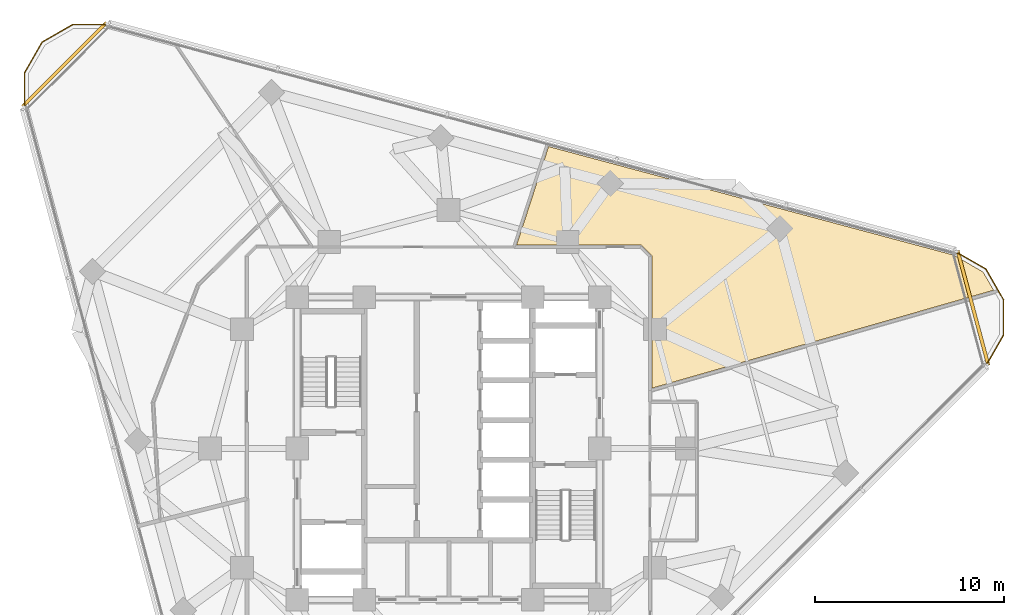
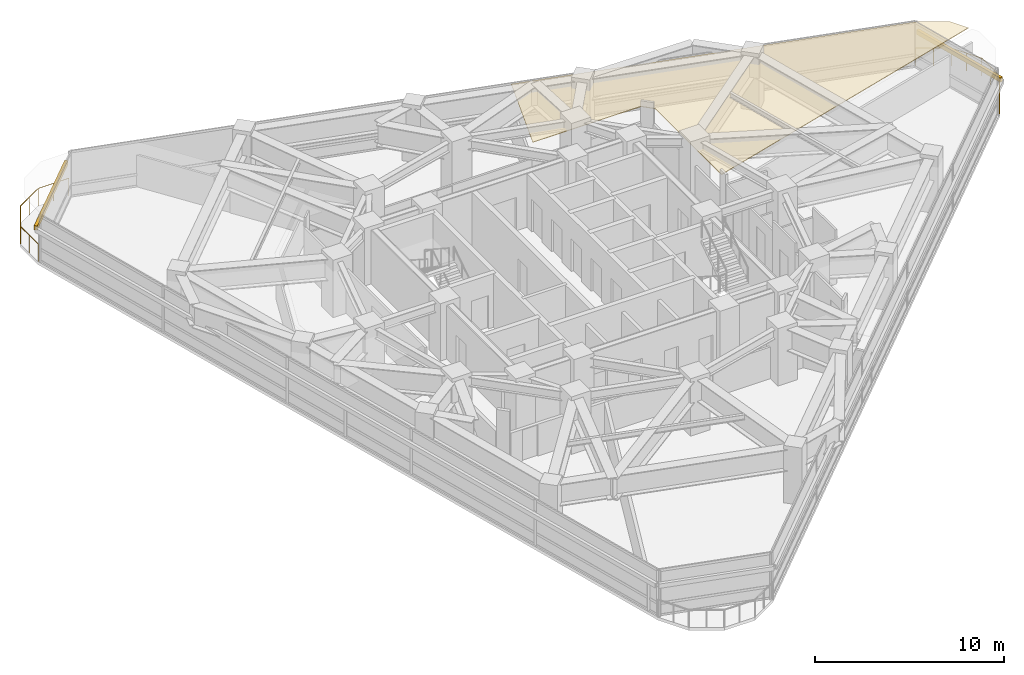
# One storey, part 15 of 15: 2 railings, 2 shading devices, 1 covering.
"""IFC4 building model written with IfcOpenShell, lengths in metres."""

from ifc_helpers import new_model, si_unit, direction, frame, origin, origin_2d, place, context, subcontext, project, spatial, polyline, rectangle, circle, outline, extrude, material, layer, layer_set, type_object, element, save


model = new_model("IFC4")

# Units and contexts
model_context = context("Model", 3, precision=1e-05, world=origin(), true_north=direction((0.0, 1.0)))
body_context = subcontext(model_context, "Body", "Model", "MODEL_VIEW")
ifc_project = project(units=[si_unit("LENGTHUNIT", "METRE"), si_unit("AREAUNIT", "SQUARE_METRE"), si_unit("VOLUMEUNIT", "CUBIC_METRE"), si_unit("PLANEANGLEUNIT", "RADIAN"), si_unit("MASSUNIT", "GRAM", prefix="KILO")], contexts=[model_context])

# Site, building, storey
site_placement = place(None, origin())
site = spatial("IfcSite", under=ifc_project, at=site_placement, CompositionType="ELEMENT")
building_placement = place(site_placement, origin())
building = spatial("IfcBuilding", under=site, at=building_placement, Name="Terralouvre Media Tower", CompositionType="ELEMENT")
storey_placement = place(building_placement, frame((0.0, 0.0, 210.10009765625)))
storey = spatial("IfcBuildingStorey", under=building, at=storey_placement, Name="L54", CompositionType="ELEMENT", Elevation=210.10009765625)

# Covering
ifc_material_1 = material(Name="Perforated aluminium acoustic ceiling baffle", Category="aluminium")
ifc_layer_1 = layer(ifc_material_1, 0.0400390625, Name="Perforated Acoustic Metal Tile Ceiling CL-AC1")
ifc_layer_set_1 = layer_set([ifc_layer_1], Name="Perforated aluminium acoustic ceiling baffle")
covering_type = type_object("IfcCoveringType", Name="Perforated Acoustic Metal Tile Ceiling CL-AC1", PredefinedType="CEILING", material=ifc_layer_set_1)
covering_placement = place(storey_placement, frame((0.0, 0.0, 2.93994140625), z_axis=(0.0, 0.0, 1.0), x_axis=(0.707106781187, 0.707106781187, 0.0)))
element("IfcCovering", 1, at=covering_placement, inside=storey, type_object=covering_type, Name="L54 High-Zone Banquet Dining Room 4 Acoustic Ceiling", PredefinedType="CEILING", context=body_context, shape_type="SweptSolid", body=[
    extrude(outline(polyline([(14.778564453125, 0.42431640625), (14.78515625, 0.4169921875), (14.791015625, 0.4091796875), (14.7958984375, 0.400634765625), (14.80029296875, 0.391845703125), (14.803466796875, 0.382568359375), (14.805908203125, 0.373046875), (14.807373046875, 0.36328125), (14.807861328125, 0.353515625), (14.807861328125, -0.353515625), (14.807373046875, -0.36328125), (14.805908203125, -0.373046875), (14.803466796875, -0.382568359375), (14.80029296875, -0.391845703125), (14.7958984375, -0.400634765625), (14.791015625, -0.4091796875), (14.78515625, -0.4169921875), (14.778564453125, -0.42431640625), (9.854736328125, -5.34814453125), (26.28466796875, -14.455078125), (26.572021484375, -13.38330078125), (26.110107421875, -11.658447265625), (15.0244140625, 7.54345703125), (10.145263671875, 5.0576171875), (14.778564453125, 0.42431640625)])), origin(), (0.0, 0.0, 1.0), 0.0400390625),
])

# Railings
ifc_material_2 = material(Name="Stainless steel 316 handrail and balustrade", Category="steel")
ifc_layer_2 = layer(ifc_material_2, 0.06005859375, Name="Roof Edge Safety Guardrail GR-ROOF1")
ifc_layer_set_2 = layer_set([ifc_layer_2], Name="Stainless steel 316 handrail and balustrade")
railing_type = type_object("IfcRailingType", Name="Roof Edge Safety Guardrail GR-ROOF1", PredefinedType="GUARDRAIL", material=ifc_layer_set_2)
railing_1_placement = place(storey_placement, frame((28.39892578125, 4.365478515625, 0.0)))
element("IfcRailing", 2, at=railing_1_placement, inside=storey, type_object=railing_type, Name="L54 Wind-Corner Perimeter Safety Guardrail C1", PredefinedType="GUARDRAIL", context=body_context, shape_type="SweptSolid", body=[
    extrude(circle(Radius=0.02099609375, at=origin_2d()), frame((0.0, 0.0, 1.12890625), z_axis=(0.500203770141, 0.86590772507, 0.0), x_axis=(-0.86590772507, 0.500203770141, 0.0)), (0.0, 0.0, 1.0), 1.873291015625),
    extrude(circle(Radius=0.02099609375, at=origin_2d()), frame((0.93701171875, 1.6220703125, 1.12890625), z_axis=(0.000130344107, 0.999999991505, 0.0), x_axis=(-0.999999991505, 0.000130344107, 0.0)), (0.0, 0.0, 1.0), 1.873046875),
    extrude(circle(Radius=0.02099609375, at=origin_2d()), frame((0.937255859375, 3.4951171875, 1.12890625), z_axis=(-0.500162491388, 0.86593156901, 0.0), x_axis=(-0.86593156901, -0.500162491388, 0.0)), (0.0, 0.0, 1.0), 1.873046875),
    extrude(circle(Radius=0.02099609375, at=origin_2d()), frame((0.00048828125, 5.116943359375, 1.12890625), z_axis=(-0.866142189219, 0.499797667116, 0.0), x_axis=(-0.499797667116, -0.866142189219, 0.0)), (0.0, 0.0, 1.0), 1.873291015625),
    extrude(circle(Radius=0.01904296875, at=origin_2d()), origin(), (0.0, 0.0, 1.0), 1.10791015625),
    extrude(circle(Radius=0.01904296875, at=origin_2d()), frame((0.468505859375, 0.81103515625, 0.0)), (0.0, 0.0, 1.0), 1.10791015625),
    extrude(circle(Radius=0.01904296875, at=origin_2d()), frame((0.93701171875, 1.6220703125, 0.0)), (0.0, 0.0, 1.0), 1.10791015625),
    extrude(circle(Radius=0.01904296875, at=origin_2d()), frame((0.93701171875, 2.55859375, 0.0)), (0.0, 0.0, 1.0), 1.10791015625),
    extrude(circle(Radius=0.01904296875, at=origin_2d()), frame((0.937255859375, 3.4951171875, 0.0)), (0.0, 0.0, 1.0), 1.10791015625),
    extrude(circle(Radius=0.01904296875, at=origin_2d()), frame((0.46875, 4.30615234375, 0.0)), (0.0, 0.0, 1.0), 1.10791015625),
    extrude(circle(Radius=0.01904296875, at=origin_2d()), frame((0.00048828125, 5.116943359375, 0.0)), (0.0, 0.0, 1.0), 1.10791015625),
    extrude(circle(Radius=0.01904296875, at=origin_2d()), frame((-0.810791015625, 5.5849609375, 0.0)), (0.0, 0.0, 1.0), 1.10791015625),
    extrude(circle(Radius=0.01904296875, at=origin_2d()), frame((-1.6220703125, 6.05322265625, 0.0)), (0.0, 0.0, 1.0), 1.10791015625),
])
railing_2_placement = place(storey_placement, frame((-17.97998046875, 22.411376953125, 0.0)))
element("IfcRailing", 3, at=railing_2_placement, inside=storey, type_object=railing_type, Name="L54 Wind-Corner Perimeter Safety Guardrail C2", PredefinedType="GUARDRAIL", context=body_context, shape_type="SweptSolid", body=[
    extrude(circle(Radius=0.02099609375, at=origin_2d()), frame((0.0, 0.0, 1.12890625), z_axis=(-0.99999996603, 0.000260654233, 0.0), x_axis=(-0.000260654233, -0.99999996603, 0.0)), (0.0, 0.0, 1.0), 1.873291015625),
    extrude(circle(Radius=0.02099609375, at=origin_2d()), frame((-1.873291015625, 0.00048828125, 1.12890625), z_axis=(-0.866109628736, -0.499854089722, 0.0), x_axis=(0.499854089722, -0.866109628736, 0.0)), (0.0, 0.0, 1.0), 1.873046875),
    extrude(circle(Radius=0.02099609375, at=origin_2d()), frame((-3.49560546875, -0.935791015625, 1.12890625), z_axis=(-0.499854089722, -0.866109628736, 0.0), x_axis=(0.866109628736, -0.499854089722, 0.0)), (0.0, 0.0, 1.0), 1.873046875),
    extrude(circle(Radius=0.02099609375, at=origin_2d()), frame((-4.431884765625, -2.55810546875, 1.12890625), z_axis=(0.000260654233, -0.99999996603, 0.0), x_axis=(0.99999996603, 0.000260654233, 0.0)), (0.0, 0.0, 1.0), 1.873291015625),
    extrude(circle(Radius=0.01904296875, at=origin_2d()), origin(), (0.0, 0.0, 1.0), 1.10791015625),
    extrude(circle(Radius=0.01904296875, at=origin_2d()), frame((-0.9365234375, 0.000244140625, 0.0)), (0.0, 0.0, 1.0), 1.10791015625),
    extrude(circle(Radius=0.01904296875, at=origin_2d()), frame((-1.873291015625, 0.00048828125, 0.0)), (0.0, 0.0, 1.0), 1.10791015625),
    extrude(circle(Radius=0.01904296875, at=origin_2d()), frame((-2.6845703125, -0.4677734375, 0.0)), (0.0, 0.0, 1.0), 1.10791015625),
    extrude(circle(Radius=0.01904296875, at=origin_2d()), frame((-3.49560546875, -0.935791015625, 0.0)), (0.0, 0.0, 1.0), 1.10791015625),
    extrude(circle(Radius=0.01904296875, at=origin_2d()), frame((-3.9638671875, -1.7470703125, 0.0)), (0.0, 0.0, 1.0), 1.10791015625),
    extrude(circle(Radius=0.01904296875, at=origin_2d()), frame((-4.431884765625, -2.55810546875, 0.0)), (0.0, 0.0, 1.0), 1.10791015625),
    extrude(circle(Radius=0.01904296875, at=origin_2d()), frame((-4.431640625, -3.49462890625, 0.0)), (0.0, 0.0, 1.0), 1.10791015625),
    extrude(circle(Radius=0.01904296875, at=origin_2d()), frame((-4.431396484375, -4.431396484375, 0.0)), (0.0, 0.0, 1.0), 1.10791015625),
])

# Shading devices
ifc_material_3 = material(Name="Extruded terracotta baguette sunshade louvres", Category="masonry")
shading_device_type = type_object("IfcShadingDeviceType", Name="Terracotta Baguette Sunshade Louvre Screen TB-LV1", PredefinedType="USERDEFINED", material=ifc_material_3)
for number, where, z_axis, x_axis, name in (
    (4, (27.71826171875, 7.427001953125, 1.9990234375), (0.0, 0.0, 1.0), (-0.258818728144, 0.965925911218, 0.0), "CW-L54-C1 Terracotta Baguette Sunshade Louvre"),
    (5, (-20.291015625, 20.291015625, 1.9990234375), (0.0, 0.0, 1.0), (-0.707106781187, -0.707106781187, 0.0), "CW-L54-C2 Terracotta Baguette Sunshade Louvre"),
):
    element("IfcShadingDevice", number, at=place(storey_placement, frame(where, z_axis=z_axis, x_axis=x_axis)), inside=storey, type_object=shading_device_type, Name=name, ObjectType="BAGUETTE", PredefinedType="USERDEFINED", context=body_context, shape_type="SweptSolid", body=[
        extrude(rectangle(XDim=6.27001953125, YDim=0.179931640625, at=origin_2d()), origin(), (0.0, 0.0, 1.0), 0.280029296875),
    ])

save(model, "model.ifc")
